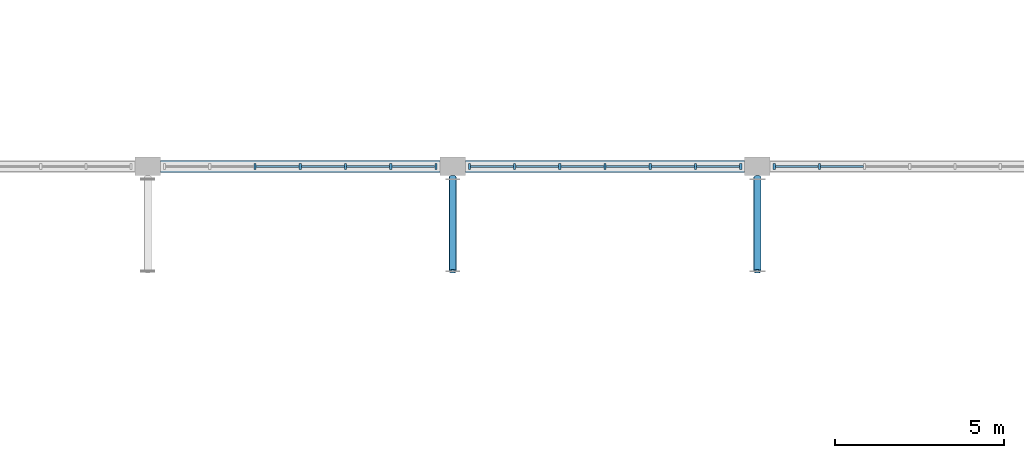
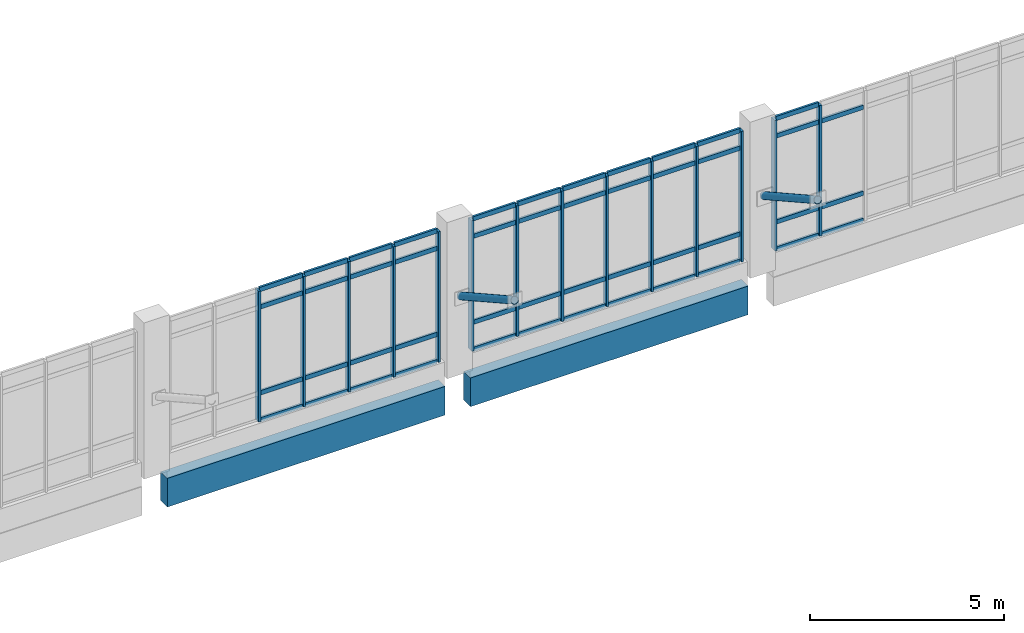
# One storey, part 26 of 110: 63 members, 2 beams, 3 elements without a shape of their own.
"""IFC4 building model written with IfcOpenShell, lengths in metres."""

from ifc_helpers import new_model, si_unit, direction, frame, origin, origin_2d, place, context, subcontext, project, spatial, rectangle, hollow_circle, extrude, material, layer, layer_set, material_profile, profile_set, type_object, element, aggregate, save


model = new_model("IFC4")

# Units and contexts
model_context = context("Model", 3, precision=1e-05, world=origin(), true_north=direction((0.0, 1.0)))
body_context = subcontext(model_context, "Body", "Model", "MODEL_VIEW")
ifc_project = project(units=[si_unit("LENGTHUNIT", "METRE"), si_unit("AREAUNIT", "SQUARE_METRE"), si_unit("VOLUMEUNIT", "CUBIC_METRE"), si_unit("PLANEANGLEUNIT", "RADIAN"), si_unit("MASSUNIT", "GRAM", prefix="KILO")], contexts=[model_context])

# Site, building, storey
site_placement = place(None, origin())
site = spatial("IfcSite", under=ifc_project, at=site_placement, CompositionType="ELEMENT")
building_placement = place(site_placement, origin())
building = spatial("IfcBuilding", under=site, at=building_placement, Name="Zacnel Wholesale Market", CompositionType="ELEMENT")
storey_placement = place(building_placement, frame((0.0, 0.0, 6.300048828125)))
storey = spatial("IfcBuildingStorey", under=building, at=storey_placement, Name="L02", CompositionType="ELEMENT", Elevation=6.300048828125)

# Beams
ifc_material_1 = material(Name="Precast concrete C45/55", Category="concrete")
ifc_material_profile_1 = material_profile(ifc_material_1, rectangle(XDim=0.35009765625, YDim=0.89990234375, at=origin_2d()), Name="SP 350x900")
ifc_profile_set_1 = profile_set([ifc_material_profile_1], Name="Precast concrete C45/55")
beam_type = type_object("IfcBeamType", Name="BM-SP900", PredefinedType="SPANDREL", material=ifc_profile_set_1)
for number, where, z_axis, x_axis, name in (
    (1, (90.375, 96.300048828125, -0.75), (1.0, 0.0, 0.0), (0.0, 1.0, 0.0), "Precast girder X-0231"),
    (2, (99.375, 96.300048828125, -0.75), (1.0, 0.0, 0.0), (0.0, 1.0, 0.0), "Precast girder X-0232"),
):
    element("IfcBeam", number, at=place(storey_placement, frame(where, z_axis=z_axis, x_axis=x_axis)), inside=storey, type_object=beam_type, Name=name, PredefinedType="SPANDREL", context=body_context, shape_type="SweptSolid", body=[
        extrude(rectangle(XDim=0.35009765625, YDim=0.89990234375, at=origin_2d()), origin(), (0.0, 0.0, 1.0), 8.25),
    ])

# Curtain wall, members
ifc_material_2 = material(Name="Anodised aluminium", Category="aluminium")
ifc_layer = layer(ifc_material_2, 0.159912109375)
ifc_layer_set = layer_set([ifc_layer], Name="Anodised aluminium")
curtain_wall_type = type_object("IfcCurtainWallType", Name="CW-NAVE-4200", PredefinedType="NOTDEFINED", material=ifc_layer_set)
curtain_wall_1_placement = place(storey_placement, origin())
curtain_wall_1 = element("IfcCurtainWall", 3, at=curtain_wall_1_placement, inside=storey, type_object=curtain_wall_type, Name="Curtain wall ENV-R2-CW-L02-022", PredefinedType="NOTDEFINED")
ifc_material_3 = material(Name="Anodised aluminium", Category="aluminium")
ifc_material_profile_2 = material_profile(ifc_material_3, rectangle(XDim=0.06494140625, YDim=0.179931640625, at=origin_2d()), Name="AW-MULLION 65x180")
ifc_profile_set_2 = profile_set([ifc_material_profile_2], Name="Anodised aluminium")
member_type_1 = type_object("IfcMemberType", Name="CWM-MUL-03", PredefinedType="MULLION", material=ifc_profile_set_2)
member_1_placement = place(storey_placement, frame((93.1650390625, 96.300048828125, 0.449951171875), z_axis=(0.0, 0.0, 1.0), x_axis=(1.0, 0.0, 0.0)))
member_1 = element("IfcMember", 4, at=member_1_placement, type_object=member_type_1, Name="ENV-R2-CW-L02-022 mullion 03", PredefinedType="MULLION", context=body_context, shape_type="SweptSolid", body=[
    extrude(rectangle(XDim=0.06494140625, YDim=0.179931640625, at=origin_2d()), origin(), (0.0, 0.0, 1.0), 4.10009765625),
])
member_2_placement = place(storey_placement, frame((94.5, 96.300048828125, 0.449951171875), z_axis=(0.0, 0.0, 1.0), x_axis=(1.0, 0.0, 0.0)))
member_2 = element("IfcMember", 5, at=member_2_placement, type_object=member_type_1, Name="ENV-R2-CW-L02-022 mullion 04", PredefinedType="MULLION", context=body_context, shape_type="SweptSolid", body=[
    extrude(rectangle(XDim=0.06494140625, YDim=0.179931640625, at=origin_2d()), origin(), (0.0, 0.0, 1.0), 4.10009765625),
])
member_3_placement = place(storey_placement, frame((95.8349609375, 96.300048828125, 0.449951171875), z_axis=(0.0, 0.0, 1.0), x_axis=(1.0, 0.0, 0.0)))
member_3 = element("IfcMember", 6, at=member_3_placement, type_object=member_type_1, Name="ENV-R2-CW-L02-022 mullion 05", PredefinedType="MULLION", context=body_context, shape_type="SweptSolid", body=[
    extrude(rectangle(XDim=0.06494140625, YDim=0.179931640625, at=origin_2d()), origin(), (0.0, 0.0, 1.0), 4.10009765625),
])
member_4_placement = place(storey_placement, frame((97.169921875, 96.300048828125, 0.449951171875), z_axis=(0.0, 0.0, 1.0), x_axis=(1.0, 0.0, 0.0)))
member_4 = element("IfcMember", 7, at=member_4_placement, type_object=member_type_1, Name="ENV-R2-CW-L02-022 mullion 06", PredefinedType="MULLION", context=body_context, shape_type="SweptSolid", body=[
    extrude(rectangle(XDim=0.06494140625, YDim=0.179931640625, at=origin_2d()), origin(), (0.0, 0.0, 1.0), 4.10009765625),
])
member_5_placement = place(storey_placement, frame((98.5048828125, 96.300048828125, 0.449951171875), z_axis=(0.0, 0.0, 1.0), x_axis=(1.0, 0.0, 0.0)))
member_5 = element("IfcMember", 8, at=member_5_placement, type_object=member_type_1, Name="ENV-R2-CW-L02-022 mullion 07", PredefinedType="MULLION", context=body_context, shape_type="SweptSolid", body=[
    extrude(rectangle(XDim=0.06494140625, YDim=0.179931640625, at=origin_2d()), origin(), (0.0, 0.0, 1.0), 4.10009765625),
])

curtain_wall_2_placement = place(storey_placement, origin())
curtain_wall_2 = element("IfcCurtainWall", 9, at=curtain_wall_2_placement, inside=storey, type_object=curtain_wall_type, Name="Curtain wall ENV-R2-CW-L02-023", PredefinedType="NOTDEFINED")
member_6_placement = place(storey_placement, frame((99.4951171875, 96.300048828125, 0.449951171875), z_axis=(0.0, 0.0, 1.0), x_axis=(1.0, 0.0, 0.0)))
member_6 = element("IfcMember", 10, at=member_6_placement, type_object=member_type_1, Name="ENV-R2-CW-L02-023 mullion 01", PredefinedType="MULLION", context=body_context, shape_type="SweptSolid", body=[
    extrude(rectangle(XDim=0.06494140625, YDim=0.179931640625, at=origin_2d()), origin(), (0.0, 0.0, 1.0), 4.10009765625),
])
member_7_placement = place(storey_placement, frame((100.830078125, 96.300048828125, 0.449951171875), z_axis=(0.0, 0.0, 1.0), x_axis=(1.0, 0.0, 0.0)))
member_7 = element("IfcMember", 11, at=member_7_placement, type_object=member_type_1, Name="ENV-R2-CW-L02-023 mullion 02", PredefinedType="MULLION", context=body_context, shape_type="SweptSolid", body=[
    extrude(rectangle(XDim=0.06494140625, YDim=0.179931640625, at=origin_2d()), origin(), (0.0, 0.0, 1.0), 4.10009765625),
])
member_8_placement = place(storey_placement, frame((102.1650390625, 96.300048828125, 0.449951171875), z_axis=(0.0, 0.0, 1.0), x_axis=(1.0, 0.0, 0.0)))
member_8 = element("IfcMember", 12, at=member_8_placement, type_object=member_type_1, Name="ENV-R2-CW-L02-023 mullion 03", PredefinedType="MULLION", context=body_context, shape_type="SweptSolid", body=[
    extrude(rectangle(XDim=0.06494140625, YDim=0.179931640625, at=origin_2d()), origin(), (0.0, 0.0, 1.0), 4.10009765625),
])
member_9_placement = place(storey_placement, frame((103.5, 96.300048828125, 0.449951171875), z_axis=(0.0, 0.0, 1.0), x_axis=(1.0, 0.0, 0.0)))
member_9 = element("IfcMember", 13, at=member_9_placement, type_object=member_type_1, Name="ENV-R2-CW-L02-023 mullion 04", PredefinedType="MULLION", context=body_context, shape_type="SweptSolid", body=[
    extrude(rectangle(XDim=0.06494140625, YDim=0.179931640625, at=origin_2d()), origin(), (0.0, 0.0, 1.0), 4.10009765625),
])
member_10_placement = place(storey_placement, frame((104.8349609375, 96.300048828125, 0.449951171875), z_axis=(0.0, 0.0, 1.0), x_axis=(1.0, 0.0, 0.0)))
member_10 = element("IfcMember", 14, at=member_10_placement, type_object=member_type_1, Name="ENV-R2-CW-L02-023 mullion 05", PredefinedType="MULLION", context=body_context, shape_type="SweptSolid", body=[
    extrude(rectangle(XDim=0.06494140625, YDim=0.179931640625, at=origin_2d()), origin(), (0.0, 0.0, 1.0), 4.10009765625),
])
member_11_placement = place(storey_placement, frame((106.169921875, 96.300048828125, 0.449951171875), z_axis=(0.0, 0.0, 1.0), x_axis=(1.0, 0.0, 0.0)))
member_11 = element("IfcMember", 15, at=member_11_placement, type_object=member_type_1, Name="ENV-R2-CW-L02-023 mullion 06", PredefinedType="MULLION", context=body_context, shape_type="SweptSolid", body=[
    extrude(rectangle(XDim=0.06494140625, YDim=0.179931640625, at=origin_2d()), origin(), (0.0, 0.0, 1.0), 4.10009765625),
])
member_12_placement = place(storey_placement, frame((107.5048828125, 96.300048828125, 0.449951171875), z_axis=(0.0, 0.0, 1.0), x_axis=(1.0, 0.0, 0.0)))
member_12 = element("IfcMember", 16, at=member_12_placement, type_object=member_type_1, Name="ENV-R2-CW-L02-023 mullion 07", PredefinedType="MULLION", context=body_context, shape_type="SweptSolid", body=[
    extrude(rectangle(XDim=0.06494140625, YDim=0.179931640625, at=origin_2d()), origin(), (0.0, 0.0, 1.0), 4.10009765625),
])

curtain_wall_3_placement = place(storey_placement, origin())
curtain_wall_3 = element("IfcCurtainWall", 17, at=curtain_wall_3_placement, inside=storey, type_object=curtain_wall_type, Name="Curtain wall ENV-R2-CW-L02-024", PredefinedType="NOTDEFINED")
member_13_placement = place(storey_placement, frame((108.4951171875, 96.300048828125, 0.449951171875), z_axis=(0.0, 0.0, 1.0), x_axis=(1.0, 0.0, 0.0)))
member_13 = element("IfcMember", 18, at=member_13_placement, type_object=member_type_1, Name="ENV-R2-CW-L02-024 mullion 01", PredefinedType="MULLION", context=body_context, shape_type="SweptSolid", body=[
    extrude(rectangle(XDim=0.06494140625, YDim=0.179931640625, at=origin_2d()), origin(), (0.0, 0.0, 1.0), 4.10009765625),
])
member_14_placement = place(storey_placement, frame((109.830078125, 96.300048828125, 0.449951171875), z_axis=(0.0, 0.0, 1.0), x_axis=(1.0, 0.0, 0.0)))
member_14 = element("IfcMember", 19, at=member_14_placement, type_object=member_type_1, Name="ENV-R2-CW-L02-024 mullion 02", PredefinedType="MULLION", context=body_context, shape_type="SweptSolid", body=[
    extrude(rectangle(XDim=0.06494140625, YDim=0.179931640625, at=origin_2d()), origin(), (0.0, 0.0, 1.0), 4.10009765625),
])

# Member
ifc_material_4 = material(Name="Anodised aluminium", Category="aluminium")
ifc_material_profile_3 = material_profile(ifc_material_4, rectangle(XDim=0.06494140625, YDim=0.139892578125, at=origin_2d()), Name="AW-TRANSOM 65x140")
ifc_profile_set_3 = profile_set([ifc_material_profile_3], Name="Anodised aluminium")
member_type_2 = type_object("IfcMemberType", Name="CWM-TRN-03", PredefinedType="USERDEFINED", material=ifc_profile_set_3)
member_15_placement = place(storey_placement, frame((93.199951171875, 96.300048828125, 0.449951171875), z_axis=(1.0, 0.0, 0.0), x_axis=(0.0, 1.0, 0.0)))
member_15 = element("IfcMember", 20, at=member_15_placement, type_object=member_type_2, Name="ENV-R2-CW-L02-022 transom 3-1", ObjectType="TRANSOM", PredefinedType="USERDEFINED", context=body_context, shape_type="SweptSolid", body=[
    extrude(rectangle(XDim=0.06494140625, YDim=0.139892578125, at=origin_2d()), origin(), (0.0, 0.0, 1.0), 1.26513671875),
])

member_16_placement = place(storey_placement, frame((93.199951171875, 96.300048828125, 1.300048828125), z_axis=(1.0, 0.0, 0.0), x_axis=(0.0, 1.0, 0.0)))
member_16 = element("IfcMember", 21, at=member_16_placement, type_object=member_type_2, Name="ENV-R2-CW-L02-022 transom 3-2", ObjectType="TRANSOM", PredefinedType="USERDEFINED", context=body_context, shape_type="SweptSolid", body=[
    extrude(rectangle(XDim=0.06494140625, YDim=0.139892578125, at=origin_2d()), origin(), (0.0, 0.0, 1.0), 1.26513671875),
])

member_17_placement = place(storey_placement, frame((93.199951171875, 96.300048828125, 4.0), z_axis=(1.0, 0.0, 0.0), x_axis=(0.0, 1.0, 0.0)))
member_17 = element("IfcMember", 22, at=member_17_placement, type_object=member_type_2, Name="ENV-R2-CW-L02-022 transom 3-3", ObjectType="TRANSOM", PredefinedType="USERDEFINED", context=body_context, shape_type="SweptSolid", body=[
    extrude(rectangle(XDim=0.06494140625, YDim=0.139892578125, at=origin_2d()), origin(), (0.0, 0.0, 1.0), 1.26513671875),
])

member_18_placement = place(storey_placement, frame((93.199951171875, 96.300048828125, 4.550048828125), z_axis=(1.0, 0.0, 0.0), x_axis=(0.0, 1.0, 0.0)))
member_18 = element("IfcMember", 23, at=member_18_placement, type_object=member_type_2, Name="ENV-R2-CW-L02-022 transom 3-4", ObjectType="TRANSOM", PredefinedType="USERDEFINED", context=body_context, shape_type="SweptSolid", body=[
    extrude(rectangle(XDim=0.06494140625, YDim=0.139892578125, at=origin_2d()), origin(), (0.0, 0.0, 1.0), 1.26513671875),
])

member_19_placement = place(storey_placement, frame((94.534912109375, 96.300048828125, 0.449951171875), z_axis=(1.0, 0.0, 0.0), x_axis=(0.0, 1.0, 0.0)))
member_19 = element("IfcMember", 24, at=member_19_placement, type_object=member_type_2, Name="ENV-R2-CW-L02-022 transom 4-1", ObjectType="TRANSOM", PredefinedType="USERDEFINED", context=body_context, shape_type="SweptSolid", body=[
    extrude(rectangle(XDim=0.06494140625, YDim=0.139892578125, at=origin_2d()), origin(), (0.0, 0.0, 1.0), 1.26513671875),
])

member_20_placement = place(storey_placement, frame((94.534912109375, 96.300048828125, 1.300048828125), z_axis=(1.0, 0.0, 0.0), x_axis=(0.0, 1.0, 0.0)))
member_20 = element("IfcMember", 25, at=member_20_placement, type_object=member_type_2, Name="ENV-R2-CW-L02-022 transom 4-2", ObjectType="TRANSOM", PredefinedType="USERDEFINED", context=body_context, shape_type="SweptSolid", body=[
    extrude(rectangle(XDim=0.06494140625, YDim=0.139892578125, at=origin_2d()), origin(), (0.0, 0.0, 1.0), 1.26513671875),
])

member_21_placement = place(storey_placement, frame((94.534912109375, 96.300048828125, 4.0), z_axis=(1.0, 0.0, 0.0), x_axis=(0.0, 1.0, 0.0)))
member_21 = element("IfcMember", 26, at=member_21_placement, type_object=member_type_2, Name="ENV-R2-CW-L02-022 transom 4-3", ObjectType="TRANSOM", PredefinedType="USERDEFINED", context=body_context, shape_type="SweptSolid", body=[
    extrude(rectangle(XDim=0.06494140625, YDim=0.139892578125, at=origin_2d()), origin(), (0.0, 0.0, 1.0), 1.26513671875),
])

member_22_placement = place(storey_placement, frame((94.534912109375, 96.300048828125, 4.550048828125), z_axis=(1.0, 0.0, 0.0), x_axis=(0.0, 1.0, 0.0)))
member_22 = element("IfcMember", 27, at=member_22_placement, type_object=member_type_2, Name="ENV-R2-CW-L02-022 transom 4-4", ObjectType="TRANSOM", PredefinedType="USERDEFINED", context=body_context, shape_type="SweptSolid", body=[
    extrude(rectangle(XDim=0.06494140625, YDim=0.139892578125, at=origin_2d()), origin(), (0.0, 0.0, 1.0), 1.26513671875),
])

member_23_placement = place(storey_placement, frame((95.8701171875, 96.300048828125, 0.449951171875), z_axis=(1.0, 0.0, 0.0), x_axis=(0.0, 1.0, 0.0)))
member_23 = element("IfcMember", 28, at=member_23_placement, type_object=member_type_2, Name="ENV-R2-CW-L02-022 transom 5-1", ObjectType="TRANSOM", PredefinedType="USERDEFINED", context=body_context, shape_type="SweptSolid", body=[
    extrude(rectangle(XDim=0.06494140625, YDim=0.139892578125, at=origin_2d()), origin(), (0.0, 0.0, 1.0), 1.264892578125),
])

member_24_placement = place(storey_placement, frame((95.8701171875, 96.300048828125, 1.300048828125), z_axis=(1.0, 0.0, 0.0), x_axis=(0.0, 1.0, 0.0)))
member_24 = element("IfcMember", 29, at=member_24_placement, type_object=member_type_2, Name="ENV-R2-CW-L02-022 transom 5-2", ObjectType="TRANSOM", PredefinedType="USERDEFINED", context=body_context, shape_type="SweptSolid", body=[
    extrude(rectangle(XDim=0.06494140625, YDim=0.139892578125, at=origin_2d()), origin(), (0.0, 0.0, 1.0), 1.264892578125),
])

member_25_placement = place(storey_placement, frame((95.8701171875, 96.300048828125, 4.0), z_axis=(1.0, 0.0, 0.0), x_axis=(0.0, 1.0, 0.0)))
member_25 = element("IfcMember", 30, at=member_25_placement, type_object=member_type_2, Name="ENV-R2-CW-L02-022 transom 5-3", ObjectType="TRANSOM", PredefinedType="USERDEFINED", context=body_context, shape_type="SweptSolid", body=[
    extrude(rectangle(XDim=0.06494140625, YDim=0.139892578125, at=origin_2d()), origin(), (0.0, 0.0, 1.0), 1.264892578125),
])

member_26_placement = place(storey_placement, frame((95.8701171875, 96.300048828125, 4.550048828125), z_axis=(1.0, 0.0, 0.0), x_axis=(0.0, 1.0, 0.0)))
member_26 = element("IfcMember", 31, at=member_26_placement, type_object=member_type_2, Name="ENV-R2-CW-L02-022 transom 5-4", ObjectType="TRANSOM", PredefinedType="USERDEFINED", context=body_context, shape_type="SweptSolid", body=[
    extrude(rectangle(XDim=0.06494140625, YDim=0.139892578125, at=origin_2d()), origin(), (0.0, 0.0, 1.0), 1.264892578125),
])

member_27_placement = place(storey_placement, frame((97.205078125, 96.300048828125, 0.449951171875), z_axis=(1.0, 0.0, 0.0), x_axis=(0.0, 1.0, 0.0)))
member_27 = element("IfcMember", 32, at=member_27_placement, type_object=member_type_2, Name="ENV-R2-CW-L02-022 transom 6-1", ObjectType="TRANSOM", PredefinedType="USERDEFINED", context=body_context, shape_type="SweptSolid", body=[
    extrude(rectangle(XDim=0.06494140625, YDim=0.139892578125, at=origin_2d()), origin(), (0.0, 0.0, 1.0), 1.264892578125),
])

member_28_placement = place(storey_placement, frame((97.205078125, 96.300048828125, 1.300048828125), z_axis=(1.0, 0.0, 0.0), x_axis=(0.0, 1.0, 0.0)))
member_28 = element("IfcMember", 33, at=member_28_placement, type_object=member_type_2, Name="ENV-R2-CW-L02-022 transom 6-2", ObjectType="TRANSOM", PredefinedType="USERDEFINED", context=body_context, shape_type="SweptSolid", body=[
    extrude(rectangle(XDim=0.06494140625, YDim=0.139892578125, at=origin_2d()), origin(), (0.0, 0.0, 1.0), 1.264892578125),
])

member_29_placement = place(storey_placement, frame((97.205078125, 96.300048828125, 4.0), z_axis=(1.0, 0.0, 0.0), x_axis=(0.0, 1.0, 0.0)))
member_29 = element("IfcMember", 34, at=member_29_placement, type_object=member_type_2, Name="ENV-R2-CW-L02-022 transom 6-3", ObjectType="TRANSOM", PredefinedType="USERDEFINED", context=body_context, shape_type="SweptSolid", body=[
    extrude(rectangle(XDim=0.06494140625, YDim=0.139892578125, at=origin_2d()), origin(), (0.0, 0.0, 1.0), 1.264892578125),
])

member_30_placement = place(storey_placement, frame((97.205078125, 96.300048828125, 4.550048828125), z_axis=(1.0, 0.0, 0.0), x_axis=(0.0, 1.0, 0.0)))
member_30 = element("IfcMember", 35, at=member_30_placement, type_object=member_type_2, Name="ENV-R2-CW-L02-022 transom 6-4", ObjectType="TRANSOM", PredefinedType="USERDEFINED", context=body_context, shape_type="SweptSolid", body=[
    extrude(rectangle(XDim=0.06494140625, YDim=0.139892578125, at=origin_2d()), origin(), (0.0, 0.0, 1.0), 1.264892578125),
])

aggregate(curtain_wall_1, [member_1, member_2, member_3, member_4, member_5, member_15, member_16, member_17, member_18, member_19, member_20, member_21, member_22, member_23, member_24, member_25, member_26, member_27, member_28, member_29, member_30])

member_31_placement = place(storey_placement, frame((99.530029296875, 96.300048828125, 0.449951171875), z_axis=(1.0, 0.0, 0.0), x_axis=(0.0, 1.0, 0.0)))
member_31 = element("IfcMember", 36, at=member_31_placement, type_object=member_type_2, Name="ENV-R2-CW-L02-023 transom 1-1", ObjectType="TRANSOM", PredefinedType="USERDEFINED", context=body_context, shape_type="SweptSolid", body=[
    extrude(rectangle(XDim=0.06494140625, YDim=0.139892578125, at=origin_2d()), origin(), (0.0, 0.0, 1.0), 1.264892578125),
])

member_32_placement = place(storey_placement, frame((99.530029296875, 96.300048828125, 1.300048828125), z_axis=(1.0, 0.0, 0.0), x_axis=(0.0, 1.0, 0.0)))
member_32 = element("IfcMember", 37, at=member_32_placement, type_object=member_type_2, Name="ENV-R2-CW-L02-023 transom 1-2", ObjectType="TRANSOM", PredefinedType="USERDEFINED", context=body_context, shape_type="SweptSolid", body=[
    extrude(rectangle(XDim=0.06494140625, YDim=0.139892578125, at=origin_2d()), origin(), (0.0, 0.0, 1.0), 1.264892578125),
])

member_33_placement = place(storey_placement, frame((99.530029296875, 96.300048828125, 4.0), z_axis=(1.0, 0.0, 0.0), x_axis=(0.0, 1.0, 0.0)))
member_33 = element("IfcMember", 38, at=member_33_placement, type_object=member_type_2, Name="ENV-R2-CW-L02-023 transom 1-3", ObjectType="TRANSOM", PredefinedType="USERDEFINED", context=body_context, shape_type="SweptSolid", body=[
    extrude(rectangle(XDim=0.06494140625, YDim=0.139892578125, at=origin_2d()), origin(), (0.0, 0.0, 1.0), 1.264892578125),
])

member_34_placement = place(storey_placement, frame((99.530029296875, 96.300048828125, 4.550048828125), z_axis=(1.0, 0.0, 0.0), x_axis=(0.0, 1.0, 0.0)))
member_34 = element("IfcMember", 39, at=member_34_placement, type_object=member_type_2, Name="ENV-R2-CW-L02-023 transom 1-4", ObjectType="TRANSOM", PredefinedType="USERDEFINED", context=body_context, shape_type="SweptSolid", body=[
    extrude(rectangle(XDim=0.06494140625, YDim=0.139892578125, at=origin_2d()), origin(), (0.0, 0.0, 1.0), 1.264892578125),
])

member_35_placement = place(storey_placement, frame((100.864990234375, 96.300048828125, 0.449951171875), z_axis=(1.0, 0.0, 0.0), x_axis=(0.0, 1.0, 0.0)))
member_35 = element("IfcMember", 40, at=member_35_placement, type_object=member_type_2, Name="ENV-R2-CW-L02-023 transom 2-1", ObjectType="TRANSOM", PredefinedType="USERDEFINED", context=body_context, shape_type="SweptSolid", body=[
    extrude(rectangle(XDim=0.06494140625, YDim=0.139892578125, at=origin_2d()), origin(), (0.0, 0.0, 1.0), 1.264892578125),
])

member_36_placement = place(storey_placement, frame((100.864990234375, 96.300048828125, 1.300048828125), z_axis=(1.0, 0.0, 0.0), x_axis=(0.0, 1.0, 0.0)))
member_36 = element("IfcMember", 41, at=member_36_placement, type_object=member_type_2, Name="ENV-R2-CW-L02-023 transom 2-2", ObjectType="TRANSOM", PredefinedType="USERDEFINED", context=body_context, shape_type="SweptSolid", body=[
    extrude(rectangle(XDim=0.06494140625, YDim=0.139892578125, at=origin_2d()), origin(), (0.0, 0.0, 1.0), 1.264892578125),
])

member_37_placement = place(storey_placement, frame((100.864990234375, 96.300048828125, 4.0), z_axis=(1.0, 0.0, 0.0), x_axis=(0.0, 1.0, 0.0)))
member_37 = element("IfcMember", 42, at=member_37_placement, type_object=member_type_2, Name="ENV-R2-CW-L02-023 transom 2-3", ObjectType="TRANSOM", PredefinedType="USERDEFINED", context=body_context, shape_type="SweptSolid", body=[
    extrude(rectangle(XDim=0.06494140625, YDim=0.139892578125, at=origin_2d()), origin(), (0.0, 0.0, 1.0), 1.264892578125),
])

member_38_placement = place(storey_placement, frame((100.864990234375, 96.300048828125, 4.550048828125), z_axis=(1.0, 0.0, 0.0), x_axis=(0.0, 1.0, 0.0)))
member_38 = element("IfcMember", 43, at=member_38_placement, type_object=member_type_2, Name="ENV-R2-CW-L02-023 transom 2-4", ObjectType="TRANSOM", PredefinedType="USERDEFINED", context=body_context, shape_type="SweptSolid", body=[
    extrude(rectangle(XDim=0.06494140625, YDim=0.139892578125, at=origin_2d()), origin(), (0.0, 0.0, 1.0), 1.264892578125),
])

member_39_placement = place(storey_placement, frame((102.199951171875, 96.300048828125, 0.449951171875), z_axis=(1.0, 0.0, 0.0), x_axis=(0.0, 1.0, 0.0)))
member_39 = element("IfcMember", 44, at=member_39_placement, type_object=member_type_2, Name="ENV-R2-CW-L02-023 transom 3-1", ObjectType="TRANSOM", PredefinedType="USERDEFINED", context=body_context, shape_type="SweptSolid", body=[
    extrude(rectangle(XDim=0.06494140625, YDim=0.139892578125, at=origin_2d()), origin(), (0.0, 0.0, 1.0), 1.26513671875),
])

member_40_placement = place(storey_placement, frame((102.199951171875, 96.300048828125, 1.300048828125), z_axis=(1.0, 0.0, 0.0), x_axis=(0.0, 1.0, 0.0)))
member_40 = element("IfcMember", 45, at=member_40_placement, type_object=member_type_2, Name="ENV-R2-CW-L02-023 transom 3-2", ObjectType="TRANSOM", PredefinedType="USERDEFINED", context=body_context, shape_type="SweptSolid", body=[
    extrude(rectangle(XDim=0.06494140625, YDim=0.139892578125, at=origin_2d()), origin(), (0.0, 0.0, 1.0), 1.26513671875),
])

member_41_placement = place(storey_placement, frame((102.199951171875, 96.300048828125, 4.0), z_axis=(1.0, 0.0, 0.0), x_axis=(0.0, 1.0, 0.0)))
member_41 = element("IfcMember", 46, at=member_41_placement, type_object=member_type_2, Name="ENV-R2-CW-L02-023 transom 3-3", ObjectType="TRANSOM", PredefinedType="USERDEFINED", context=body_context, shape_type="SweptSolid", body=[
    extrude(rectangle(XDim=0.06494140625, YDim=0.139892578125, at=origin_2d()), origin(), (0.0, 0.0, 1.0), 1.26513671875),
])

member_42_placement = place(storey_placement, frame((102.199951171875, 96.300048828125, 4.550048828125), z_axis=(1.0, 0.0, 0.0), x_axis=(0.0, 1.0, 0.0)))
member_42 = element("IfcMember", 47, at=member_42_placement, type_object=member_type_2, Name="ENV-R2-CW-L02-023 transom 3-4", ObjectType="TRANSOM", PredefinedType="USERDEFINED", context=body_context, shape_type="SweptSolid", body=[
    extrude(rectangle(XDim=0.06494140625, YDim=0.139892578125, at=origin_2d()), origin(), (0.0, 0.0, 1.0), 1.26513671875),
])

member_43_placement = place(storey_placement, frame((103.534912109375, 96.300048828125, 0.449951171875), z_axis=(1.0, 0.0, 0.0), x_axis=(0.0, 1.0, 0.0)))
member_43 = element("IfcMember", 48, at=member_43_placement, type_object=member_type_2, Name="ENV-R2-CW-L02-023 transom 4-1", ObjectType="TRANSOM", PredefinedType="USERDEFINED", context=body_context, shape_type="SweptSolid", body=[
    extrude(rectangle(XDim=0.06494140625, YDim=0.139892578125, at=origin_2d()), origin(), (0.0, 0.0, 1.0), 1.26513671875),
])

member_44_placement = place(storey_placement, frame((103.534912109375, 96.300048828125, 1.300048828125), z_axis=(1.0, 0.0, 0.0), x_axis=(0.0, 1.0, 0.0)))
member_44 = element("IfcMember", 49, at=member_44_placement, type_object=member_type_2, Name="ENV-R2-CW-L02-023 transom 4-2", ObjectType="TRANSOM", PredefinedType="USERDEFINED", context=body_context, shape_type="SweptSolid", body=[
    extrude(rectangle(XDim=0.06494140625, YDim=0.139892578125, at=origin_2d()), origin(), (0.0, 0.0, 1.0), 1.26513671875),
])

member_45_placement = place(storey_placement, frame((103.534912109375, 96.300048828125, 4.0), z_axis=(1.0, 0.0, 0.0), x_axis=(0.0, 1.0, 0.0)))
member_45 = element("IfcMember", 50, at=member_45_placement, type_object=member_type_2, Name="ENV-R2-CW-L02-023 transom 4-3", ObjectType="TRANSOM", PredefinedType="USERDEFINED", context=body_context, shape_type="SweptSolid", body=[
    extrude(rectangle(XDim=0.06494140625, YDim=0.139892578125, at=origin_2d()), origin(), (0.0, 0.0, 1.0), 1.26513671875),
])

member_46_placement = place(storey_placement, frame((103.534912109375, 96.300048828125, 4.550048828125), z_axis=(1.0, 0.0, 0.0), x_axis=(0.0, 1.0, 0.0)))
member_46 = element("IfcMember", 51, at=member_46_placement, type_object=member_type_2, Name="ENV-R2-CW-L02-023 transom 4-4", ObjectType="TRANSOM", PredefinedType="USERDEFINED", context=body_context, shape_type="SweptSolid", body=[
    extrude(rectangle(XDim=0.06494140625, YDim=0.139892578125, at=origin_2d()), origin(), (0.0, 0.0, 1.0), 1.26513671875),
])

member_47_placement = place(storey_placement, frame((104.8701171875, 96.300048828125, 0.449951171875), z_axis=(1.0, 0.0, 0.0), x_axis=(0.0, 1.0, 0.0)))
member_47 = element("IfcMember", 52, at=member_47_placement, type_object=member_type_2, Name="ENV-R2-CW-L02-023 transom 5-1", ObjectType="TRANSOM", PredefinedType="USERDEFINED", context=body_context, shape_type="SweptSolid", body=[
    extrude(rectangle(XDim=0.06494140625, YDim=0.139892578125, at=origin_2d()), origin(), (0.0, 0.0, 1.0), 1.264892578125),
])

member_48_placement = place(storey_placement, frame((104.8701171875, 96.300048828125, 1.300048828125), z_axis=(1.0, 0.0, 0.0), x_axis=(0.0, 1.0, 0.0)))
member_48 = element("IfcMember", 53, at=member_48_placement, type_object=member_type_2, Name="ENV-R2-CW-L02-023 transom 5-2", ObjectType="TRANSOM", PredefinedType="USERDEFINED", context=body_context, shape_type="SweptSolid", body=[
    extrude(rectangle(XDim=0.06494140625, YDim=0.139892578125, at=origin_2d()), origin(), (0.0, 0.0, 1.0), 1.264892578125),
])

member_49_placement = place(storey_placement, frame((104.8701171875, 96.300048828125, 4.0), z_axis=(1.0, 0.0, 0.0), x_axis=(0.0, 1.0, 0.0)))
member_49 = element("IfcMember", 54, at=member_49_placement, type_object=member_type_2, Name="ENV-R2-CW-L02-023 transom 5-3", ObjectType="TRANSOM", PredefinedType="USERDEFINED", context=body_context, shape_type="SweptSolid", body=[
    extrude(rectangle(XDim=0.06494140625, YDim=0.139892578125, at=origin_2d()), origin(), (0.0, 0.0, 1.0), 1.264892578125),
])

member_50_placement = place(storey_placement, frame((104.8701171875, 96.300048828125, 4.550048828125), z_axis=(1.0, 0.0, 0.0), x_axis=(0.0, 1.0, 0.0)))
member_50 = element("IfcMember", 55, at=member_50_placement, type_object=member_type_2, Name="ENV-R2-CW-L02-023 transom 5-4", ObjectType="TRANSOM", PredefinedType="USERDEFINED", context=body_context, shape_type="SweptSolid", body=[
    extrude(rectangle(XDim=0.06494140625, YDim=0.139892578125, at=origin_2d()), origin(), (0.0, 0.0, 1.0), 1.264892578125),
])

member_51_placement = place(storey_placement, frame((106.205078125, 96.300048828125, 0.449951171875), z_axis=(1.0, 0.0, 0.0), x_axis=(0.0, 1.0, 0.0)))
member_51 = element("IfcMember", 56, at=member_51_placement, type_object=member_type_2, Name="ENV-R2-CW-L02-023 transom 6-1", ObjectType="TRANSOM", PredefinedType="USERDEFINED", context=body_context, shape_type="SweptSolid", body=[
    extrude(rectangle(XDim=0.06494140625, YDim=0.139892578125, at=origin_2d()), origin(), (0.0, 0.0, 1.0), 1.264892578125),
])

member_52_placement = place(storey_placement, frame((106.205078125, 96.300048828125, 1.300048828125), z_axis=(1.0, 0.0, 0.0), x_axis=(0.0, 1.0, 0.0)))
member_52 = element("IfcMember", 57, at=member_52_placement, type_object=member_type_2, Name="ENV-R2-CW-L02-023 transom 6-2", ObjectType="TRANSOM", PredefinedType="USERDEFINED", context=body_context, shape_type="SweptSolid", body=[
    extrude(rectangle(XDim=0.06494140625, YDim=0.139892578125, at=origin_2d()), origin(), (0.0, 0.0, 1.0), 1.264892578125),
])

member_53_placement = place(storey_placement, frame((106.205078125, 96.300048828125, 4.0), z_axis=(1.0, 0.0, 0.0), x_axis=(0.0, 1.0, 0.0)))
member_53 = element("IfcMember", 58, at=member_53_placement, type_object=member_type_2, Name="ENV-R2-CW-L02-023 transom 6-3", ObjectType="TRANSOM", PredefinedType="USERDEFINED", context=body_context, shape_type="SweptSolid", body=[
    extrude(rectangle(XDim=0.06494140625, YDim=0.139892578125, at=origin_2d()), origin(), (0.0, 0.0, 1.0), 1.264892578125),
])

member_54_placement = place(storey_placement, frame((106.205078125, 96.300048828125, 4.550048828125), z_axis=(1.0, 0.0, 0.0), x_axis=(0.0, 1.0, 0.0)))
member_54 = element("IfcMember", 59, at=member_54_placement, type_object=member_type_2, Name="ENV-R2-CW-L02-023 transom 6-4", ObjectType="TRANSOM", PredefinedType="USERDEFINED", context=body_context, shape_type="SweptSolid", body=[
    extrude(rectangle(XDim=0.06494140625, YDim=0.139892578125, at=origin_2d()), origin(), (0.0, 0.0, 1.0), 1.264892578125),
])

aggregate(curtain_wall_2, [member_6, member_7, member_8, member_9, member_10, member_11, member_12, member_31, member_32, member_33, member_34, member_35, member_36, member_37, member_38, member_39, member_40, member_41, member_42, member_43, member_44, member_45, member_46, member_47, member_48, member_49, member_50, member_51, member_52, member_53, member_54])

member_55_placement = place(storey_placement, frame((108.530029296875, 96.300048828125, 0.449951171875), z_axis=(1.0, 0.0, 0.0), x_axis=(0.0, 1.0, 0.0)))
member_55 = element("IfcMember", 60, at=member_55_placement, type_object=member_type_2, Name="ENV-R2-CW-L02-024 transom 1-1", ObjectType="TRANSOM", PredefinedType="USERDEFINED", context=body_context, shape_type="SweptSolid", body=[
    extrude(rectangle(XDim=0.06494140625, YDim=0.139892578125, at=origin_2d()), origin(), (0.0, 0.0, 1.0), 1.264892578125),
])

member_56_placement = place(storey_placement, frame((108.530029296875, 96.300048828125, 1.300048828125), z_axis=(1.0, 0.0, 0.0), x_axis=(0.0, 1.0, 0.0)))
member_56 = element("IfcMember", 61, at=member_56_placement, type_object=member_type_2, Name="ENV-R2-CW-L02-024 transom 1-2", ObjectType="TRANSOM", PredefinedType="USERDEFINED", context=body_context, shape_type="SweptSolid", body=[
    extrude(rectangle(XDim=0.06494140625, YDim=0.139892578125, at=origin_2d()), origin(), (0.0, 0.0, 1.0), 1.264892578125),
])

member_57_placement = place(storey_placement, frame((108.530029296875, 96.300048828125, 4.0), z_axis=(1.0, 0.0, 0.0), x_axis=(0.0, 1.0, 0.0)))
member_57 = element("IfcMember", 62, at=member_57_placement, type_object=member_type_2, Name="ENV-R2-CW-L02-024 transom 1-3", ObjectType="TRANSOM", PredefinedType="USERDEFINED", context=body_context, shape_type="SweptSolid", body=[
    extrude(rectangle(XDim=0.06494140625, YDim=0.139892578125, at=origin_2d()), origin(), (0.0, 0.0, 1.0), 1.264892578125),
])

member_58_placement = place(storey_placement, frame((108.530029296875, 96.300048828125, 4.550048828125), z_axis=(1.0, 0.0, 0.0), x_axis=(0.0, 1.0, 0.0)))
member_58 = element("IfcMember", 63, at=member_58_placement, type_object=member_type_2, Name="ENV-R2-CW-L02-024 transom 1-4", ObjectType="TRANSOM", PredefinedType="USERDEFINED", context=body_context, shape_type="SweptSolid", body=[
    extrude(rectangle(XDim=0.06494140625, YDim=0.139892578125, at=origin_2d()), origin(), (0.0, 0.0, 1.0), 1.264892578125),
])

member_59_placement = place(storey_placement, frame((109.864990234375, 96.300048828125, 0.449951171875), z_axis=(1.0, 0.0, 0.0), x_axis=(0.0, 1.0, 0.0)))
member_59 = element("IfcMember", 64, at=member_59_placement, type_object=member_type_2, Name="ENV-R2-CW-L02-024 transom 2-1", ObjectType="TRANSOM", PredefinedType="USERDEFINED", context=body_context, shape_type="SweptSolid", body=[
    extrude(rectangle(XDim=0.06494140625, YDim=0.139892578125, at=origin_2d()), origin(), (0.0, 0.0, 1.0), 1.264892578125),
])

member_60_placement = place(storey_placement, frame((109.864990234375, 96.300048828125, 1.300048828125), z_axis=(1.0, 0.0, 0.0), x_axis=(0.0, 1.0, 0.0)))
member_60 = element("IfcMember", 65, at=member_60_placement, type_object=member_type_2, Name="ENV-R2-CW-L02-024 transom 2-2", ObjectType="TRANSOM", PredefinedType="USERDEFINED", context=body_context, shape_type="SweptSolid", body=[
    extrude(rectangle(XDim=0.06494140625, YDim=0.139892578125, at=origin_2d()), origin(), (0.0, 0.0, 1.0), 1.264892578125),
])

member_61_placement = place(storey_placement, frame((109.864990234375, 96.300048828125, 4.0), z_axis=(1.0, 0.0, 0.0), x_axis=(0.0, 1.0, 0.0)))
member_61 = element("IfcMember", 66, at=member_61_placement, type_object=member_type_2, Name="ENV-R2-CW-L02-024 transom 2-3", ObjectType="TRANSOM", PredefinedType="USERDEFINED", context=body_context, shape_type="SweptSolid", body=[
    extrude(rectangle(XDim=0.06494140625, YDim=0.139892578125, at=origin_2d()), origin(), (0.0, 0.0, 1.0), 1.264892578125),
])

aggregate(curtain_wall_3, [member_13, member_14, member_55, member_56, member_57, member_58, member_59, member_60, member_61])

# Members
ifc_material_5 = material(Name="Steel S355", Category="steel")
ifc_material_profile_4 = material_profile(ifc_material_5, hollow_circle(Radius=0.109619140625, WallThickness=0.010009765625, at=origin_2d()), Name="CHS 219.1x10")
ifc_profile_set_4 = profile_set([ifc_material_profile_4], Name="Steel S355")
member_type_3 = type_object("IfcMemberType", Name="MEM-STR-CHS219", PredefinedType="STRUT", material=ifc_profile_set_4)
for number, where, z_axis, x_axis, name in (
    (67, (99.0, 95.97998046875, 2.5), (0.0, -0.873410930295, 0.48698392873), (1.0, 0.0, 0.0), "Storm eave knee strut 004"),
    (68, (108.0, 95.97998046875, 2.5), (0.0, -0.873410930295, 0.48698392873), (1.0, 0.0, 0.0), "Storm eave knee strut 005"),
):
    element("IfcMember", number, at=place(storey_placement, frame(where, z_axis=z_axis, x_axis=x_axis)), inside=storey, type_object=member_type_3, Name=name, PredefinedType="STRUT", context=body_context, shape_type="SweptSolid", body=[
        extrude(hollow_circle(Radius=0.109619140625, WallThickness=0.010009765625, at=origin_2d()), origin(), (0.0, 0.0, 1.0), 3.182861328125),
    ])

save(model, "model.ifc")
